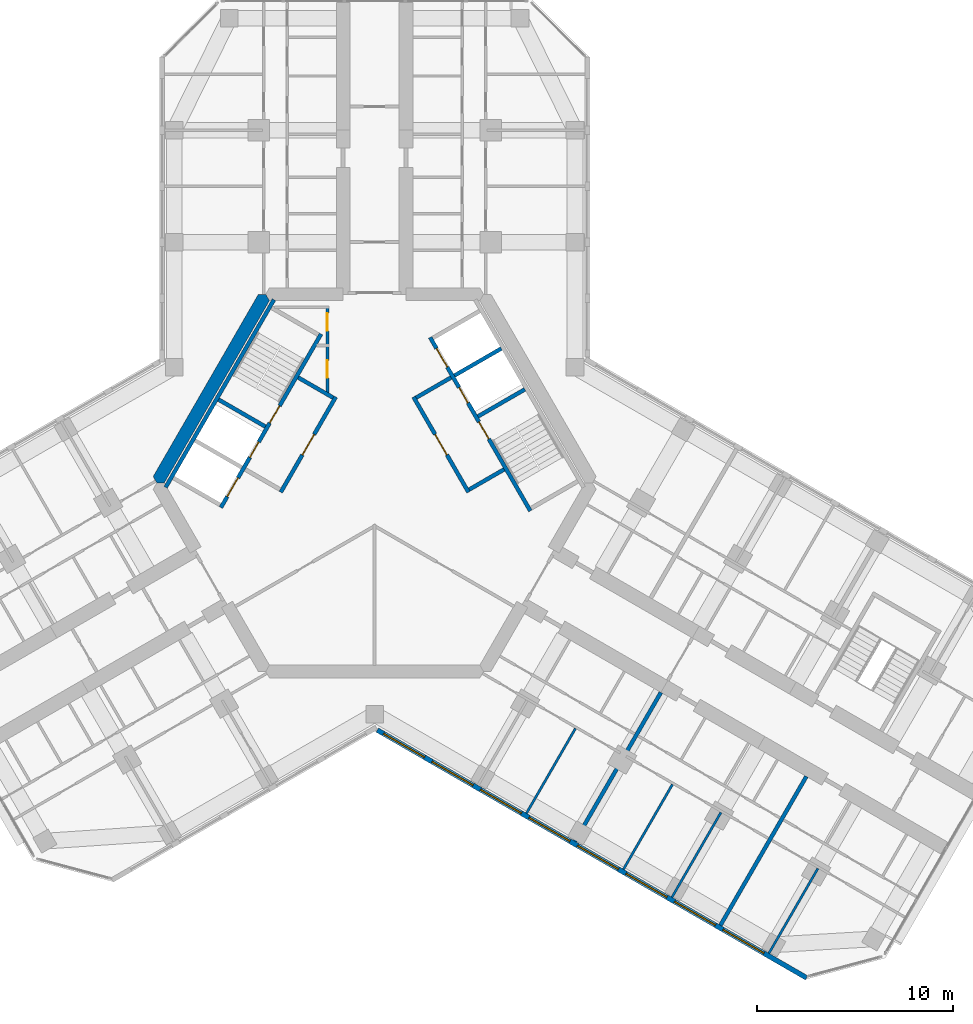
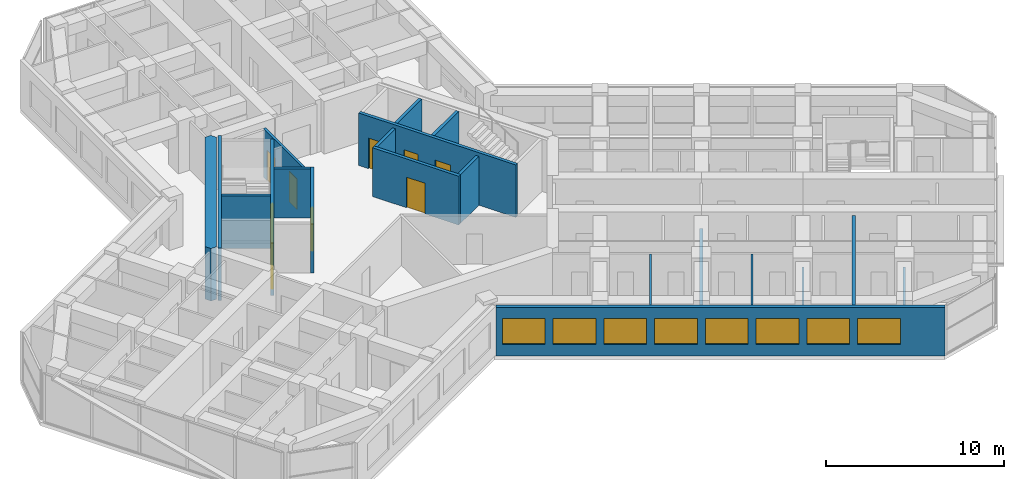
# One storey, part 10 of 16: 20 walls, 10 doors, 8 windows, 18 openings.
"""IFC4 building model written with IfcOpenShell, lengths in metres."""

from ifc_helpers import new_model, si_unit, direction, frame, frame_2d, origin, place, context, subcontext, project, spatial, polyline, rectangle, outline, extrude, material, layer, layer_set, type_object, element, fill, save


model = new_model("IFC4")

# Units and contexts
model_context = context("Model", 3, precision=1e-05, world=origin(), true_north=direction((0.0, 1.0)))
body_context = subcontext(model_context, "Body", "Model", "MODEL_VIEW")
ifc_project = project(units=[si_unit("LENGTHUNIT", "METRE"), si_unit("AREAUNIT", "SQUARE_METRE"), si_unit("VOLUMEUNIT", "CUBIC_METRE"), si_unit("PLANEANGLEUNIT", "RADIAN"), si_unit("MASSUNIT", "GRAM", prefix="KILO")], contexts=[model_context])

# Site, building, storey
site_placement = place(None, origin())
site = spatial("IfcSite", under=ifc_project, at=site_placement, CompositionType="ELEMENT")
building_placement = place(site_placement, origin())
building = spatial("IfcBuilding", under=site, at=building_placement, Name="Kosmar Iwan School Tower", CompositionType="ELEMENT")
storey_placement = place(building_placement, frame((0.0, 0.0, 197.39990234375)))
storey = spatial("IfcBuildingStorey", under=building, at=storey_placement, Name="L49", CompositionType="ELEMENT", Elevation=197.39990234375)

# Wall, openings, doors
ifc_material_1 = material(Name="Gypsum board on steel studs, fire-rated", Category="steel")
ifc_layer_1 = layer(ifc_material_1, 0.14990234375)
ifc_layer_set_1 = layer_set([ifc_layer_1], Name="Core room partition 150")
wall_type_1 = type_object("IfcWallType", Name="Core room partition 150", PredefinedType="PARTITIONING", material=ifc_layer_set_1)
wall_1_placement = place(storey_placement, frame((-2.39990234375, 9.014892578125, 0.0), z_axis=(0.0, 0.0, 1.0), x_axis=(0.0, -1.0, 0.0)))
wall_1 = element("IfcWall", 1, at=wall_1_placement, inside=storey, type_object=wall_type_1, Name="Core room partition L49-CW1", PredefinedType="PARTITIONING", context=body_context, shape_type="SweptSolid", body=[
    extrude(rectangle(XDim=4.484130859375, YDim=0.14990234375, at=frame_2d((2.2421875, 0.0))), origin(), (0.0, 0.0, 1.0), 3.35009765625),
])
opening_1_placement = place(wall_1_placement, frame((0.375, 0.0, 0.0)))
opening_1 = element("IfcOpeningElement", 2, at=opening_1_placement, cuts=wall_1, Name="Opening D14", PredefinedType="OPENING", context=body_context, shape_type="SweptSolid", body=[
    extrude(rectangle(XDim=0.89990234375, YDim=2.10009765625, at=frame_2d((0.449951171875, 1.050048828125))), frame((0.0, 0.0869140625, 0.0), z_axis=(0.0, -1.0, 0.0), x_axis=(1.0, 0.0, 0.0)), (0.0, 0.0, 1.0), 0.173828125),
])
opening_2_placement = place(wall_1_placement, frame((2.77490234375, 0.0, 0.0)))
opening_2 = element("IfcOpeningElement", 3, at=opening_2_placement, cuts=wall_1, Name="Opening D14", PredefinedType="OPENING", context=body_context, shape_type="SweptSolid", body=[
    extrude(rectangle(XDim=0.89990234375, YDim=2.10009765625, at=frame_2d((0.449951171875, 1.050048828125))), frame((0.0, 0.0869140625, 0.0), z_axis=(0.0, -1.0, 0.0), x_axis=(1.0, 0.0, 0.0)), (0.0, 0.0, 1.0), 0.173828125),
])
ifc_material_2 = material(Name="Timber fire door in steel frame", Category="steel")
door_type_1 = type_object("IfcDoorType", Name="Core room door 900x2100", OperationType="SINGLE_SWING_LEFT", PredefinedType="DOOR", material=ifc_material_2)
door_1_placement = place(opening_1_placement, origin())
door_1 = element("IfcDoor", 4, at=door_1_placement, inside=storey, type_object=door_type_1, Name="Electrical riser and switch room door L49 1", OperationType="SINGLE_SWING_LEFT", OverallHeight=2.10009765625, OverallWidth=0.89990234375, PredefinedType="DOOR", context=body_context, shape_type="SweptSolid", body=[
    extrude(rectangle(XDim=0.89990234375, YDim=2.10009765625, at=frame_2d((0.449951171875, 1.050048828125))), frame((0.0, 0.02490234375, 0.0), z_axis=(0.0, -1.0, 0.0), x_axis=(1.0, 0.0, 0.0)), (0.0, 0.0, 1.0), 0.050048828125),
])
fill(opening_1, door_1)
door_2_placement = place(opening_2_placement, origin())
door_2 = element("IfcDoor", 5, at=door_2_placement, inside=storey, type_object=door_type_1, Name="Plumbing and wet riser door L49 2", OperationType="SINGLE_SWING_RIGHT", OverallHeight=2.10009765625, OverallWidth=0.89990234375, PredefinedType="DOOR", context=body_context, shape_type="SweptSolid", body=[
    extrude(rectangle(XDim=0.89990234375, YDim=2.10009765625, at=frame_2d((0.449951171875, 1.050048828125))), frame((0.0, 0.02490234375, 0.0), z_axis=(0.0, -1.0, 0.0), x_axis=(1.0, 0.0, 0.0)), (0.0, 0.0, 1.0), 0.050048828125),
])
fill(opening_2, door_2)

# Walls
ifc_material_3 = material(Name="Concrete C50/60", Category="concrete")
ifc_layer_2 = layer(ifc_material_3, 0.64990234375)
ifc_layer_set_2 = layer_set([ifc_layer_2], Name="Core wall 650")
wall_type_2 = type_object("IfcWallType", Name="Core wall 650", PredefinedType="SHEAR", material=ifc_layer_set_2)
wall_2_placement = place(storey_placement, origin())
element("IfcWall", 6, at=wall_2_placement, inside=storey, type_object=wall_type_2, Name="Core wall F150", PredefinedType="SHEAR", context=body_context, shape_type="SweptSolid", body=[
    extrude(outline(polyline([(-11.085205078125, 0.0), (-10.7099609375, 0.0), (-5.35498046875, 9.27490234375), (-5.54248046875, 9.60009765625), (-5.917724609375, 9.60009765625), (-11.272705078125, 0.324951171875), (-11.085205078125, 0.0)])), origin(), (0.0, 0.0, 1.0), 3.60009765625),
])
ifc_material_4 = material(Name="Gypsum board on steel studs", Category="steel")
ifc_layer_3 = layer(ifc_material_4, 0.1201171875)
ifc_layer_set_3 = layer_set([ifc_layer_3], Name="Dwelling partition 120")
wall_type_3 = type_object("IfcWallType", Name="Dwelling partition 120", PredefinedType="PARTITIONING", material=ifc_layer_set_3)
wall_3_placement = place(storey_placement, frame((10.221923828125, -12.4951171875, 0.0), z_axis=(0.0, 0.0, 1.0), x_axis=(-0.499996339024, -0.86602751744, 0.0)))
element("IfcWall", 7, at=wall_3_placement, inside=storey, type_object=wall_type_3, Name="Partition L49-CR1-X2", PredefinedType="PARTITIONING", context=body_context, shape_type="SweptSolid", body=[
    extrude(rectangle(XDim=4.98974609375, YDim=0.1201171875, at=frame_2d((2.494873046875, 0.0))), origin(), (0.0, 0.0, 1.0), 3.35009765625),
])
wall_4_placement = place(storey_placement, frame((15.158447265625, -15.344970703125, 0.0), z_axis=(0.0, 0.0, 1.0), x_axis=(-0.500011847778, -0.866018563358, 0.0)))
element("IfcWall", 8, at=wall_4_placement, inside=storey, type_object=wall_type_3, Name="Partition L49-CR2-X1", PredefinedType="PARTITIONING", context=body_context, shape_type="SweptSolid", body=[
    extrude(rectangle(XDim=4.990234375, YDim=0.1201171875, at=frame_2d((2.4951171875, 0.0))), origin(), (0.0, 0.0, 1.0), 3.35009765625),
])
wall_5_placement = place(storey_placement, frame((17.62646484375, -16.77001953125, 0.0), z_axis=(0.0, 0.0, 1.0), x_axis=(-0.499975153383, -0.86603974851, 0.0)))
element("IfcWall", 9, at=wall_5_placement, inside=storey, type_object=wall_type_3, Name="Partition L49-CR2-X2", PredefinedType="PARTITIONING", context=body_context, shape_type="SweptSolid", body=[
    extrude(rectangle(XDim=4.989990234375, YDim=0.1201171875, at=frame_2d((2.4951171875, 0.0))), origin(), (0.0, 0.0, 1.0), 2.4501953125),
])
wall_6_placement = place(storey_placement, frame((22.562744140625, -19.6201171875, 0.0), z_axis=(0.0, 0.0, 1.0), x_axis=(-0.499996339024, -0.86602751744, 0.0)))
element("IfcWall", 10, at=wall_6_placement, inside=storey, type_object=wall_type_3, Name="Partition L49-CR3-X1", PredefinedType="PARTITIONING", context=body_context, shape_type="SweptSolid", body=[
    extrude(rectangle(XDim=4.98974609375, YDim=0.1201171875, at=frame_2d((2.494873046875, 0.0))), origin(), (0.0, 0.0, 1.0), 2.4501953125),
])

# Wall, openings, windows
ifc_material_5 = material(Name="Black aluminium rainscreen on insulated framing", Category="aluminium")
ifc_layer_4 = layer(ifc_material_5, 0.25)
ifc_layer_set_4 = layer_set([ifc_layer_4], Name="External wall rainscreen 250")
wall_type_4 = type_object("IfcWallType", Name="External wall rainscreen 250", PredefinedType="SOLIDWALL", material=ifc_layer_set_4)
wall_7_placement = place(storey_placement, frame((0.137939453125, -12.5791015625, 0.0), z_axis=(0.0, 0.0, 1.0), x_axis=(0.866023775649, -0.500002820003, 0.0)))
wall_7 = element("IfcWall", 11, at=wall_7_placement, inside=storey, type_object=wall_type_4, Name="External wall CR L49", PredefinedType="SOLIDWALL", context=body_context, shape_type="SweptSolid", body=[
    extrude(rectangle(XDim=25.226318359375, YDim=0.25, at=frame_2d((12.61328125, 0.0))), origin(), (0.0, 0.0, 1.0), 3.35009765625),
])
opening_3_placement = place(wall_7_placement, frame((0.365966796875, 0.0, 0.800048828125)))
opening_3 = element("IfcOpeningElement", 12, at=opening_3_placement, cuts=wall_7, Name="Opening W5", PredefinedType="OPENING", context=body_context, shape_type="SweptSolid", body=[
    extrude(rectangle(XDim=2.39990234375, YDim=1.800048828125, at=frame_2d((1.199951171875, 0.89990234375))), frame((0.0, 0.136962890625, 0.0), z_axis=(0.0, -1.0, 0.0), x_axis=(1.0, 0.0, 0.0)), (0.0, 0.0, 1.0), 0.27392578125),
])
opening_4_placement = place(wall_7_placement, frame((3.216064453125, 0.0, 0.800048828125)))
opening_4 = element("IfcOpeningElement", 13, at=opening_4_placement, cuts=wall_7, Name="Opening W5", PredefinedType="OPENING", context=body_context, shape_type="SweptSolid", body=[
    extrude(rectangle(XDim=2.39990234375, YDim=1.800048828125, at=frame_2d((1.199951171875, 0.89990234375))), frame((0.0, 0.136962890625, 0.0), z_axis=(0.0, -1.0, 0.0), x_axis=(1.0, 0.0, 0.0)), (0.0, 0.0, 1.0), 0.27392578125),
])
opening_5_placement = place(wall_7_placement, frame((6.06591796875, 0.0, 0.800048828125)))
opening_5 = element("IfcOpeningElement", 14, at=opening_5_placement, cuts=wall_7, Name="Opening W5", PredefinedType="OPENING", context=body_context, shape_type="SweptSolid", body=[
    extrude(rectangle(XDim=2.39990234375, YDim=1.800048828125, at=frame_2d((1.199951171875, 0.89990234375))), frame((0.0, 0.136962890625, 0.0), z_axis=(0.0, -1.0, 0.0), x_axis=(1.0, 0.0, 0.0)), (0.0, 0.0, 1.0), 0.27392578125),
])
opening_6_placement = place(wall_7_placement, frame((8.916015625, 0.0, 0.800048828125)))
opening_6 = element("IfcOpeningElement", 15, at=opening_6_placement, cuts=wall_7, Name="Opening W5", PredefinedType="OPENING", context=body_context, shape_type="SweptSolid", body=[
    extrude(rectangle(XDim=2.39990234375, YDim=1.800048828125, at=frame_2d((1.199951171875, 0.89990234375))), frame((0.0, 0.136962890625, 0.0), z_axis=(0.0, -1.0, 0.0), x_axis=(1.0, 0.0, 0.0)), (0.0, 0.0, 1.0), 0.27392578125),
])
opening_7_placement = place(wall_7_placement, frame((11.76611328125, 0.0, 0.800048828125)))
opening_7 = element("IfcOpeningElement", 16, at=opening_7_placement, cuts=wall_7, Name="Opening W5", PredefinedType="OPENING", context=body_context, shape_type="SweptSolid", body=[
    extrude(rectangle(XDim=2.39990234375, YDim=1.800048828125, at=frame_2d((1.199951171875, 0.89990234375))), frame((0.0, 0.136962890625, 0.0), z_axis=(0.0, -1.0, 0.0), x_axis=(1.0, 0.0, 0.0)), (0.0, 0.0, 1.0), 0.27392578125),
])
opening_8_placement = place(wall_7_placement, frame((14.615966796875, 0.0, 0.800048828125)))
opening_8 = element("IfcOpeningElement", 17, at=opening_8_placement, cuts=wall_7, Name="Opening W5", PredefinedType="OPENING", context=body_context, shape_type="SweptSolid", body=[
    extrude(rectangle(XDim=2.39990234375, YDim=1.800048828125, at=frame_2d((1.199951171875, 0.89990234375))), frame((0.0, 0.136962890625, 0.0), z_axis=(0.0, -1.0, 0.0), x_axis=(1.0, 0.0, 0.0)), (0.0, 0.0, 1.0), 0.27392578125),
])
opening_9_placement = place(wall_7_placement, frame((17.466064453125, 0.0, 0.800048828125)))
opening_9 = element("IfcOpeningElement", 18, at=opening_9_placement, cuts=wall_7, Name="Opening W5", PredefinedType="OPENING", context=body_context, shape_type="SweptSolid", body=[
    extrude(rectangle(XDim=2.39990234375, YDim=1.800048828125, at=frame_2d((1.199951171875, 0.89990234375))), frame((0.0, 0.136962890625, 0.0), z_axis=(0.0, -1.0, 0.0), x_axis=(1.0, 0.0, 0.0)), (0.0, 0.0, 1.0), 0.27392578125),
])
opening_10_placement = place(wall_7_placement, frame((20.31591796875, 0.0, 0.800048828125)))
opening_10 = element("IfcOpeningElement", 19, at=opening_10_placement, cuts=wall_7, Name="Opening W5", PredefinedType="OPENING", context=body_context, shape_type="SweptSolid", body=[
    extrude(rectangle(XDim=2.39990234375, YDim=1.800048828125, at=frame_2d((1.199951171875, 0.89990234375))), frame((0.0, 0.136962890625, 0.0), z_axis=(0.0, -1.0, 0.0), x_axis=(1.0, 0.0, 0.0)), (0.0, 0.0, 1.0), 0.27392578125),
])
ifc_material_6 = material(Name="Black aluminium frame with dark triple glazing", Category="aluminium")
window_type = type_object("IfcWindowType", Name="Window 2400x1800", PartitioningType="SINGLE_PANEL", PredefinedType="WINDOW", material=ifc_material_6)
window_1_placement = place(opening_3_placement, origin())
window_1 = element("IfcWindow", 20, at=window_1_placement, inside=storey, type_object=window_type, Name="Window CR L49 -1", OverallHeight=1.800048828125, OverallWidth=2.39990234375, PartitioningType="SINGLE_PANEL", PredefinedType="WINDOW", context=body_context, shape_type="SweptSolid", body=[
    extrude(rectangle(XDim=2.39990234375, YDim=1.800048828125, at=frame_2d((1.199951171875, 0.89990234375))), frame((0.0, 0.030029296875, 0.0), z_axis=(0.0, -1.0, 0.0), x_axis=(1.0, 0.0, 0.0)), (0.0, 0.0, 1.0), 0.06005859375),
])
fill(opening_3, window_1)
window_2_placement = place(opening_4_placement, origin())
window_2 = element("IfcWindow", 21, at=window_2_placement, inside=storey, type_object=window_type, Name="Window CR L49 0", OverallHeight=1.800048828125, OverallWidth=2.39990234375, PartitioningType="SINGLE_PANEL", PredefinedType="WINDOW", context=body_context, shape_type="SweptSolid", body=[
    extrude(rectangle(XDim=2.39990234375, YDim=1.800048828125, at=frame_2d((1.199951171875, 0.89990234375))), frame((0.0, 0.030029296875, 0.0), z_axis=(0.0, -1.0, 0.0), x_axis=(1.0, 0.0, 0.0)), (0.0, 0.0, 1.0), 0.06005859375),
])
fill(opening_4, window_2)
window_3_placement = place(opening_5_placement, origin())
window_3 = element("IfcWindow", 22, at=window_3_placement, inside=storey, type_object=window_type, Name="Window CR L49 1", OverallHeight=1.800048828125, OverallWidth=2.39990234375, PartitioningType="SINGLE_PANEL", PredefinedType="WINDOW", context=body_context, shape_type="SweptSolid", body=[
    extrude(rectangle(XDim=2.39990234375, YDim=1.800048828125, at=frame_2d((1.199951171875, 0.89990234375))), frame((0.0, 0.030029296875, 0.0), z_axis=(0.0, -1.0, 0.0), x_axis=(1.0, 0.0, 0.0)), (0.0, 0.0, 1.0), 0.06005859375),
])
fill(opening_5, window_3)
window_4_placement = place(opening_6_placement, origin())
window_4 = element("IfcWindow", 23, at=window_4_placement, inside=storey, type_object=window_type, Name="Window CR L49 2", OverallHeight=1.800048828125, OverallWidth=2.39990234375, PartitioningType="SINGLE_PANEL", PredefinedType="WINDOW", context=body_context, shape_type="SweptSolid", body=[
    extrude(rectangle(XDim=2.39990234375, YDim=1.800048828125, at=frame_2d((1.199951171875, 0.89990234375))), frame((0.0, 0.030029296875, 0.0), z_axis=(0.0, -1.0, 0.0), x_axis=(1.0, 0.0, 0.0)), (0.0, 0.0, 1.0), 0.06005859375),
])
fill(opening_6, window_4)
window_5_placement = place(opening_7_placement, origin())
window_5 = element("IfcWindow", 24, at=window_5_placement, inside=storey, type_object=window_type, Name="Window CR L49 3", OverallHeight=1.800048828125, OverallWidth=2.39990234375, PartitioningType="SINGLE_PANEL", PredefinedType="WINDOW", context=body_context, shape_type="SweptSolid", body=[
    extrude(rectangle(XDim=2.39990234375, YDim=1.800048828125, at=frame_2d((1.199951171875, 0.89990234375))), frame((0.0, 0.030029296875, 0.0), z_axis=(0.0, -1.0, 0.0), x_axis=(1.0, 0.0, 0.0)), (0.0, 0.0, 1.0), 0.06005859375),
])
fill(opening_7, window_5)
window_6_placement = place(opening_8_placement, origin())
window_6 = element("IfcWindow", 25, at=window_6_placement, inside=storey, type_object=window_type, Name="Window CR L49 4", OverallHeight=1.800048828125, OverallWidth=2.39990234375, PartitioningType="SINGLE_PANEL", PredefinedType="WINDOW", context=body_context, shape_type="SweptSolid", body=[
    extrude(rectangle(XDim=2.39990234375, YDim=1.800048828125, at=frame_2d((1.199951171875, 0.89990234375))), frame((0.0, 0.030029296875, 0.0), z_axis=(0.0, -1.0, 0.0), x_axis=(1.0, 0.0, 0.0)), (0.0, 0.0, 1.0), 0.06005859375),
])
fill(opening_8, window_6)
window_7_placement = place(opening_9_placement, origin())
window_7 = element("IfcWindow", 26, at=window_7_placement, inside=storey, type_object=window_type, Name="Window CR L49 5", OverallHeight=1.800048828125, OverallWidth=2.39990234375, PartitioningType="SINGLE_PANEL", PredefinedType="WINDOW", context=body_context, shape_type="SweptSolid", body=[
    extrude(rectangle(XDim=2.39990234375, YDim=1.800048828125, at=frame_2d((1.199951171875, 0.89990234375))), frame((0.0, 0.030029296875, 0.0), z_axis=(0.0, -1.0, 0.0), x_axis=(1.0, 0.0, 0.0)), (0.0, 0.0, 1.0), 0.06005859375),
])
fill(opening_9, window_7)
window_8_placement = place(opening_10_placement, origin())
window_8 = element("IfcWindow", 27, at=window_8_placement, inside=storey, type_object=window_type, Name="Window CR L49 6", OverallHeight=1.800048828125, OverallWidth=2.39990234375, PartitioningType="SINGLE_PANEL", PredefinedType="WINDOW", context=body_context, shape_type="SweptSolid", body=[
    extrude(rectangle(XDim=2.39990234375, YDim=1.800048828125, at=frame_2d((1.199951171875, 0.89990234375))), frame((0.0, 0.030029296875, 0.0), z_axis=(0.0, -1.0, 0.0), x_axis=(1.0, 0.0, 0.0)), (0.0, 0.0, 1.0), 0.06005859375),
])
fill(opening_10, window_8)

# Wall, opening, door
ifc_material_7 = material(Name="Concrete block masonry", Category="masonry")
ifc_layer_5 = layer(ifc_material_7, 0.199951171875)
ifc_layer_set_5 = layer_set([ifc_layer_5], Name="Fire lobby wall 200")
wall_type_5 = type_object("IfcWallType", Name="Fire lobby wall 200", PredefinedType="PARTITIONING", material=ifc_layer_set_5)
wall_8_placement = place(storey_placement, frame((-1.9775390625, 4.374755859375, 0.0), z_axis=(0.0, 0.0, 1.0), x_axis=(-0.500016814911, -0.866015695474, 0.0)))
wall_8 = element("IfcWall", 28, at=wall_8_placement, inside=storey, type_object=wall_type_5, Name="Firefighting lobby wall ST2", PredefinedType="PARTITIONING", context=body_context, shape_type="SweptSolid", body=[
    extrude(rectangle(XDim=5.599853515625, YDim=0.199951171875, at=frame_2d((2.7998046875, 0.0))), origin(), (0.0, 0.0, 1.0), 3.35009765625),
])
opening_11_placement = place(wall_8_placement, frame((2.199951171875, 0.0, 0.0)))
opening_11 = element("IfcOpeningElement", 29, at=opening_11_placement, cuts=wall_8, Name="Opening D7", PredefinedType="OPENING", context=body_context, shape_type="SweptSolid", body=[
    extrude(rectangle(XDim=1.199951171875, YDim=2.10009765625, at=frame_2d((0.60009765625, 1.050048828125))), frame((0.0, 0.112060546875, 0.0), z_axis=(0.0, -1.0, 0.0), x_axis=(1.0, 0.0, 0.0)), (0.0, 0.0, 1.0), 0.223876953125),
])
ifc_material_8 = material(Name="Steel fire door", Category="steel")
door_type_2 = type_object("IfcDoorType", Name="Fire lobby door 1200x2100", OperationType="SINGLE_SWING_LEFT", PredefinedType="DOOR", material=ifc_material_8)
door_3_placement = place(opening_11_placement, origin())
door_3 = element("IfcDoor", 30, at=door_3_placement, inside=storey, type_object=door_type_2, Name="Firefighting lobby door ST2 L49", OperationType="SINGLE_SWING_RIGHT", OverallHeight=2.10009765625, OverallWidth=1.199951171875, PredefinedType="DOOR", context=body_context, shape_type="SweptSolid", body=[
    extrude(rectangle(XDim=1.199951171875, YDim=2.10009765625, at=frame_2d((0.60009765625, 1.050048828125))), frame((0.0, 0.02490234375, 0.0), z_axis=(0.0, -1.0, 0.0), x_axis=(1.0, 0.0, 0.0)), (0.0, 0.0, 1.0), 0.050048828125),
])
fill(opening_11, door_3)

# Wall
wall_9_placement = place(storey_placement, frame((-2.114013671875, 4.33837890625, 0.0), z_axis=(0.0, 0.0, 1.0), x_axis=(-0.866050731258, 0.499956128963, 0.0)))
element("IfcWall", 31, at=wall_9_placement, inside=storey, type_object=wall_type_5, Name="Firefighting lobby wall ST2", PredefinedType="PARTITIONING", context=body_context, shape_type="SweptSolid", body=[
    extrude(rectangle(XDim=2.050048828125, YDim=0.199951171875, at=frame_2d((1.02490234375, 0.0))), origin(), (0.0, 0.0, 1.0), 3.35009765625),
])

# Wall, opening, door
wall_10_placement = place(storey_placement, frame((4.777587890625, -0.474853515625, 0.0), z_axis=(0.0, 0.0, 1.0), x_axis=(-0.500016814911, 0.866015695474, 0.0)))
wall_10 = element("IfcWall", 32, at=wall_10_placement, inside=storey, type_object=wall_type_5, Name="Firefighting lobby wall ST1", PredefinedType="PARTITIONING", context=body_context, shape_type="SweptSolid", body=[
    extrude(rectangle(XDim=5.599853515625, YDim=0.199951171875, at=frame_2d((2.7998046875, 0.0))), origin(), (0.0, 0.0, 1.0), 3.35009765625),
])
opening_12_placement = place(wall_10_placement, frame((2.199951171875, 0.0, 0.0)))
opening_12 = element("IfcOpeningElement", 33, at=opening_12_placement, cuts=wall_10, Name="Opening D7", PredefinedType="OPENING", context=body_context, shape_type="SweptSolid", body=[
    extrude(rectangle(XDim=1.199951171875, YDim=2.10009765625, at=frame_2d((0.60009765625, 1.050048828125))), frame((0.0, 0.112060546875, 0.0), z_axis=(0.0, -1.0, 0.0), x_axis=(1.0, 0.0, 0.0)), (0.0, 0.0, 1.0), 0.223876953125),
])
door_4_placement = place(opening_12_placement, origin())
door_4 = element("IfcDoor", 34, at=door_4_placement, inside=storey, type_object=door_type_2, Name="Firefighting lobby door ST1 L49", OperationType="SINGLE_SWING_RIGHT", OverallHeight=2.10009765625, OverallWidth=1.199951171875, PredefinedType="DOOR", context=body_context, shape_type="SweptSolid", body=[
    extrude(rectangle(XDim=1.199951171875, YDim=2.10009765625, at=frame_2d((0.60009765625, 1.050048828125))), frame((0.0, 0.02490234375, 0.0), z_axis=(0.0, -1.0, 0.0), x_axis=(1.0, 0.0, 0.0)), (0.0, 0.0, 1.0), 0.050048828125),
])
fill(opening_12, door_4)

# Walls
wall_11_placement = place(storey_placement, frame((4.814208984375, -0.33837890625, 0.0), z_axis=(0.0, 0.0, 1.0), x_axis=(0.865969381856, 0.500097020274, 0.0)))
element("IfcWall", 35, at=wall_11_placement, inside=storey, type_object=wall_type_5, Name="Firefighting lobby wall ST1", PredefinedType="PARTITIONING", context=body_context, shape_type="SweptSolid", body=[
    extrude(rectangle(XDim=2.0498046875, YDim=0.199951171875, at=frame_2d((1.02490234375, 0.0))), origin(), (0.0, 0.0, 1.0), 3.35009765625),
])
wall_12_placement = place(storey_placement, frame((2.114013671875, 4.33837890625, 0.0), z_axis=(0.0, 0.0, 1.0), x_axis=(0.866050731258, 0.499956128963, 0.0)))
element("IfcWall", 36, at=wall_12_placement, inside=storey, type_object=wall_type_5, Name="Firefighting lobby wall ST1", PredefinedType="PARTITIONING", context=body_context, shape_type="SweptSolid", body=[
    extrude(rectangle(XDim=2.050048828125, YDim=0.199951171875, at=frame_2d((1.02490234375, 0.0))), origin(), (0.0, 0.0, 1.0), 3.35009765625),
])

# Wall, openings, doors
ifc_material_9 = material(Name="Concrete C50/60", Category="concrete")
ifc_layer_6 = layer(ifc_material_9, 0.199951171875)
ifc_layer_set_6 = layer_set([ifc_layer_6], Name="Lift shaft wall 200")
wall_type_6 = type_object("IfcWallType", Name="Lift shaft wall 200", PredefinedType="SHEAR", material=ifc_layer_set_6)
wall_13_placement = place(storey_placement, frame((-2.72607421875, 7.578369140625, 0.0), z_axis=(0.0, 0.0, 1.0), x_axis=(-0.500005610874, -0.86602216432, 0.0)))
wall_13 = element("IfcWall", 37, at=wall_13_placement, inside=storey, type_object=wall_type_6, Name="Lift and stair front wall AB", PredefinedType="SHEAR", context=body_context, shape_type="SweptSolid", body=[
    extrude(rectangle(XDim=10.2001953125, YDim=0.199951171875, at=frame_2d((5.10009765625, 0.0))), origin(), (0.0, 0.0, 1.0), 3.60009765625),
])
opening_13_placement = place(wall_13_placement, frame((6.35009765625, 0.0, 0.0)))
opening_13 = element("IfcOpeningElement", 38, at=opening_13_placement, cuts=wall_13, Name="Opening LD2", PredefinedType="OPENING", context=body_context, shape_type="SweptSolid", body=[
    extrude(rectangle(XDim=0.89990234375, YDim=2.10009765625, at=frame_2d((0.449951171875, 1.050048828125))), frame((0.0, 0.112060546875, 0.0), z_axis=(0.0, -1.0, 0.0), x_axis=(1.0, 0.0, 0.0)), (0.0, 0.0, 1.0), 0.223876953125),
])
opening_14_placement = place(wall_13_placement, frame((8.449951171875, 0.0, 0.0)))
opening_14 = element("IfcOpeningElement", 39, at=opening_14_placement, cuts=wall_13, Name="Opening LD1", PredefinedType="OPENING", context=body_context, shape_type="SweptSolid", body=[
    extrude(rectangle(XDim=1.10009765625, YDim=2.10009765625, at=frame_2d((0.550048828125, 1.050048828125))), frame((0.0, 0.112060546875, 0.0), z_axis=(0.0, -1.0, 0.0), x_axis=(1.0, 0.0, 0.0)), (0.0, 0.0, 1.0), 0.223876953125),
])
opening_15_placement = place(wall_13_placement, frame((4.22998046875, 0.0, 0.0)))
opening_15 = element("IfcOpeningElement", 40, at=opening_15_placement, cuts=wall_13, Name="Opening D6", PredefinedType="OPENING", context=body_context, shape_type="SweptSolid", body=[
    extrude(rectangle(XDim=1.0, YDim=2.10009765625, at=frame_2d((0.5, 1.050048828125))), frame((0.0, 0.112060546875, 0.0), z_axis=(0.0, -1.0, 0.0), x_axis=(1.0, 0.0, 0.0)), (0.0, 0.0, 1.0), 0.223876953125),
])
ifc_material_10 = material(Name="Stainless steel sliding lift door", Category="steel")
door_type_3 = type_object("IfcDoorType", Name="Firefighting lift landing door 900x2100", OperationType="SLIDING_TO_LEFT", PredefinedType="DOOR", material=ifc_material_10)
door_5_placement = place(opening_13_placement, origin())
door_5 = element("IfcDoor", 41, at=door_5_placement, inside=storey, type_object=door_type_3, Name="Lift FF2 landing door L49", OperationType="SLIDING_TO_LEFT", OverallHeight=2.10009765625, OverallWidth=0.89990234375, PredefinedType="DOOR", context=body_context, shape_type="SweptSolid", body=[
    extrude(rectangle(XDim=0.89990234375, YDim=2.10009765625, at=frame_2d((0.449951171875, 1.050048828125))), frame((0.0, 0.02490234375, 0.0), z_axis=(0.0, -1.0, 0.0), x_axis=(1.0, 0.0, 0.0)), (0.0, 0.0, 1.0), 0.050048828125),
])
fill(opening_13, door_5)
ifc_material_11 = material(Name="Stainless steel sliding lift door", Category="steel")
door_type_4 = type_object("IfcDoorType", Name="Lift landing door 1100x2100", OperationType="SLIDING_TO_LEFT", PredefinedType="DOOR", material=ifc_material_11)
door_6_placement = place(opening_14_placement, origin())
door_6 = element("IfcDoor", 42, at=door_6_placement, inside=storey, type_object=door_type_4, Name="Lift PL6 landing door L49", OperationType="SLIDING_TO_LEFT", OverallHeight=2.10009765625, OverallWidth=1.10009765625, PredefinedType="DOOR", context=body_context, shape_type="SweptSolid", body=[
    extrude(rectangle(XDim=1.10009765625, YDim=2.10009765625, at=frame_2d((0.550048828125, 1.050048828125))), frame((0.0, 0.02490234375, 0.0), z_axis=(0.0, -1.0, 0.0), x_axis=(1.0, 0.0, 0.0)), (0.0, 0.0, 1.0), 0.050048828125),
])
fill(opening_14, door_6)
ifc_material_12 = material(Name="Steel fire door", Category="steel")
door_type_5 = type_object("IfcDoorType", Name="Stair door 1000x2100", OperationType="SINGLE_SWING_LEFT", PredefinedType="DOOR", material=ifc_material_12)
door_7_placement = place(opening_15_placement, origin())
door_7 = element("IfcDoor", 43, at=door_7_placement, inside=storey, type_object=door_type_5, Name="Stair ST2 door L49", OperationType="SINGLE_SWING_LEFT", OverallHeight=2.10009765625, OverallWidth=1.0, PredefinedType="DOOR", context=body_context, shape_type="SweptSolid", body=[
    extrude(rectangle(XDim=1.0, YDim=2.10009765625, at=frame_2d((0.5, 1.050048828125))), frame((0.0, 0.02490234375, 0.0), z_axis=(0.0, -1.0, 0.0), x_axis=(1.0, 0.0, 0.0)), (0.0, 0.0, 1.0), 0.050048828125),
])
fill(opening_15, door_7)

# Wall
wall_14_placement = place(storey_placement, frame((-5.1240234375, 9.324951171875, 0.0), z_axis=(0.0, 0.0, 1.0), x_axis=(-0.49999650507, -0.866027421574, 0.0)))
element("IfcWall", 44, at=wall_14_placement, inside=storey, type_object=wall_type_6, Name="Lift and stair back wall AB", PredefinedType="SHEAR", context=body_context, shape_type="SweptSolid", body=[
    extrude(rectangle(XDim=11.02734375, YDim=0.199951171875, at=frame_2d((5.513671875, 0.0))), origin(), (0.0, 0.0, 1.0), 3.60009765625),
])

# Wall, openings, doors
wall_15_placement = place(storey_placement, frame((7.926025390625, -1.42822265625, 0.0), z_axis=(0.0, 0.0, 1.0), x_axis=(-0.499998023675, 0.866026544813, 0.0)))
wall_15 = element("IfcWall", 45, at=wall_15_placement, inside=storey, type_object=wall_type_6, Name="Lift and stair front wall AC", PredefinedType="SHEAR", context=body_context, shape_type="SweptSolid", body=[
    extrude(rectangle(XDim=10.19970703125, YDim=0.199951171875, at=frame_2d((5.099853515625, 0.0))), origin(), (0.0, 0.0, 1.0), 3.60009765625),
])
opening_16_placement = place(wall_15_placement, frame((6.35009765625, 0.0, 0.0)))
opening_16 = element("IfcOpeningElement", 46, at=opening_16_placement, cuts=wall_15, Name="Opening LD2", PredefinedType="OPENING", context=body_context, shape_type="SweptSolid", body=[
    extrude(rectangle(XDim=0.89990234375, YDim=2.10009765625, at=frame_2d((0.449951171875, 1.050048828125))), frame((0.0, 0.112060546875, 0.0), z_axis=(0.0, -1.0, 0.0), x_axis=(1.0, 0.0, 0.0)), (0.0, 0.0, 1.0), 0.223876953125),
])
opening_17_placement = place(wall_15_placement, frame((8.449951171875, 0.0, 0.0)))
opening_17 = element("IfcOpeningElement", 47, at=opening_17_placement, cuts=wall_15, Name="Opening LD1", PredefinedType="OPENING", context=body_context, shape_type="SweptSolid", body=[
    extrude(rectangle(XDim=1.10009765625, YDim=2.10009765625, at=frame_2d((0.550048828125, 1.050048828125))), frame((0.0, 0.112060546875, 0.0), z_axis=(0.0, -1.0, 0.0), x_axis=(1.0, 0.0, 0.0)), (0.0, 0.0, 1.0), 0.223876953125),
])
opening_18_placement = place(wall_15_placement, frame((4.22998046875, 0.0, 0.0)))
opening_18 = element("IfcOpeningElement", 48, at=opening_18_placement, cuts=wall_15, Name="Opening D6", PredefinedType="OPENING", context=body_context, shape_type="SweptSolid", body=[
    extrude(rectangle(XDim=1.0, YDim=2.10009765625, at=frame_2d((0.5, 1.050048828125))), frame((0.0, 0.112060546875, 0.0), z_axis=(0.0, -1.0, 0.0), x_axis=(1.0, 0.0, 0.0)), (0.0, 0.0, 1.0), 0.223876953125),
])
door_8_placement = place(opening_16_placement, origin())
door_8 = element("IfcDoor", 49, at=door_8_placement, inside=storey, type_object=door_type_3, Name="Lift FF1 landing door L49", OperationType="SLIDING_TO_LEFT", OverallHeight=2.10009765625, OverallWidth=0.89990234375, PredefinedType="DOOR", context=body_context, shape_type="SweptSolid", body=[
    extrude(rectangle(XDim=0.89990234375, YDim=2.10009765625, at=frame_2d((0.449951171875, 1.050048828125))), frame((0.0, 0.02490234375, 0.0), z_axis=(0.0, -1.0, 0.0), x_axis=(1.0, 0.0, 0.0)), (0.0, 0.0, 1.0), 0.050048828125),
])
fill(opening_16, door_8)
door_9_placement = place(opening_17_placement, origin())
door_9 = element("IfcDoor", 50, at=door_9_placement, inside=storey, type_object=door_type_4, Name="Lift PL5 landing door L49", OperationType="SLIDING_TO_LEFT", OverallHeight=2.10009765625, OverallWidth=1.10009765625, PredefinedType="DOOR", context=body_context, shape_type="SweptSolid", body=[
    extrude(rectangle(XDim=1.10009765625, YDim=2.10009765625, at=frame_2d((0.550048828125, 1.050048828125))), frame((0.0, 0.02490234375, 0.0), z_axis=(0.0, -1.0, 0.0), x_axis=(1.0, 0.0, 0.0)), (0.0, 0.0, 1.0), 0.050048828125),
])
fill(opening_17, door_9)
door_10_placement = place(opening_18_placement, origin())
door_10 = element("IfcDoor", 51, at=door_10_placement, inside=storey, type_object=door_type_5, Name="Stair ST1 door L49", OperationType="SINGLE_SWING_LEFT", OverallHeight=2.10009765625, OverallWidth=1.0, PredefinedType="DOOR", context=body_context, shape_type="SweptSolid", body=[
    extrude(rectangle(XDim=1.0, YDim=2.10009765625, at=frame_2d((0.5, 1.050048828125))), frame((0.0, 0.02490234375, 0.0), z_axis=(0.0, -1.0, 0.0), x_axis=(1.0, 0.0, 0.0)), (0.0, 0.0, 1.0), 0.050048828125),
])
fill(opening_18, door_10)

# Walls
wall_16_placement = place(storey_placement, frame((4.062744140625, 5.46337890625, 0.0), z_axis=(0.0, 0.0, 1.0), x_axis=(0.866027397988, 0.499996545922, 0.0)))
element("IfcWall", 52, at=wall_16_placement, inside=storey, type_object=wall_type_6, Name="Lift shaft wall AC 1", PredefinedType="SHEAR", context=body_context, shape_type="SweptSolid", body=[
    extrude(rectangle(XDim=2.75, YDim=0.199951171875, at=frame_2d((1.375, 0.0))), origin(), (0.0, 0.0, 1.0), 3.60009765625),
])
ifc_material_13 = material(Name="Concrete block masonry", Category="masonry")
ifc_layer_7 = layer(ifc_material_13, 0.199951171875)
ifc_layer_set_7 = layer_set([ifc_layer_7], Name="Party wall 200")
wall_type_7 = type_object("IfcWallType", Name="Party wall 200", PredefinedType="PARTITIONING", material=ifc_layer_set_7)
wall_17_placement = place(storey_placement, frame((14.570068359375, -10.663818359375, 0.0), z_axis=(0.0, 0.0, 1.0), x_axis=(-0.500004234368, -0.866022959057, 0.0)))
element("IfcWall", 53, at=wall_17_placement, inside=storey, type_object=wall_type_7, Name="Partition L49-CR2-PW", PredefinedType="PARTITIONING", context=body_context, shape_type="SweptSolid", body=[
    extrude(rectangle(XDim=8.75, YDim=0.199951171875, at=frame_2d((4.375, 0.0))), origin(), (0.0, 0.0, 1.0), 2.4501953125),
])
wall_18_placement = place(storey_placement, frame((21.974609375, -14.938720703125, 0.0), z_axis=(0.0, 0.0, 1.0), x_axis=(-0.499992152613, -0.866029934428, 0.0)))
element("IfcWall", 54, at=wall_18_placement, inside=storey, type_object=wall_type_7, Name="Partition L49-CR3-PW", PredefinedType="PARTITIONING", context=body_context, shape_type="SweptSolid", body=[
    extrude(rectangle(XDim=8.750244140625, YDim=0.199951171875, at=frame_2d((4.375, 0.0))), origin(), (0.0, 0.0, 1.0), 3.35009765625),
])
ifc_material_14 = material(Name="Concrete C50/60", Category="concrete")
ifc_layer_8 = layer(ifc_material_14, 0.199951171875)
ifc_layer_set_8 = layer_set([ifc_layer_8], Name="Stair enclosure wall 200")
wall_type_8 = type_object("IfcWallType", Name="Stair enclosure wall 200", PredefinedType="SHEAR", material=ifc_layer_set_8)
for number, where, z_axis, x_axis, name in (
    (55, (-5.562744140625, 2.865234375, 0.0), (0.0, 0.0, 1.0), (-0.866027397988, 0.499996545922, 0.0), "Stair ST2 wall"),
    (56, (5.2626953125, 3.384765625, 0.0), (0.0, 0.0, 1.0), (0.866027397988, 0.499996545922, 0.0), "Stair ST1 wall"),
):
    element("IfcWall", number, at=place(storey_placement, frame(where, z_axis=z_axis, x_axis=x_axis)), inside=storey, type_object=wall_type_8, Name=name, PredefinedType="SHEAR", context=body_context, shape_type="SweptSolid", body=[
        extrude(rectangle(XDim=2.75, YDim=0.199951171875, at=frame_2d((1.375, 0.0))), origin(), (0.0, 0.0, 1.0), 3.60009765625),
    ])

save(model, "model.ifc")
